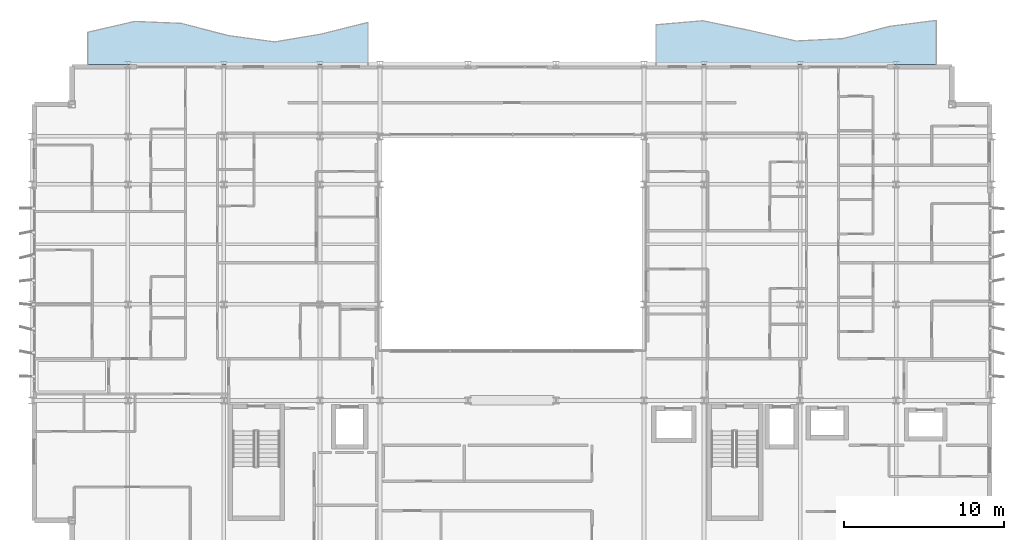
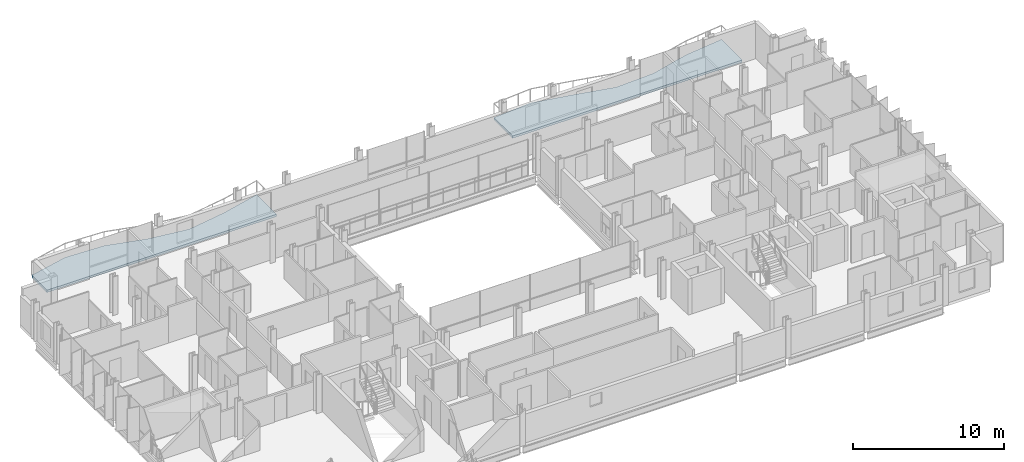
# One storey, part 25 of 38: 2 slabs.
"""IFC4 building model written with IfcOpenShell, lengths in metres."""

from ifc_helpers import new_model, si_unit, direction, frame, origin, place, context, subcontext, project, spatial, polyline, outline, extrude, material, layer, layer_set, type_object, element, save


model = new_model("IFC4")

# Units and contexts
model_context = context("Model", 3, precision=1e-05, world=origin(), true_north=direction((0.0, 1.0)))
body_context = subcontext(model_context, "Body", "Model", "MODEL_VIEW")
ifc_project = project(units=[si_unit("LENGTHUNIT", "METRE"), si_unit("AREAUNIT", "SQUARE_METRE"), si_unit("VOLUMEUNIT", "CUBIC_METRE"), si_unit("PLANEANGLEUNIT", "RADIAN"), si_unit("MASSUNIT", "GRAM", prefix="KILO")], contexts=[model_context])

# Site, building, storey
site_placement = place(None, origin())
site = spatial("IfcSite", under=ifc_project, at=site_placement, CompositionType="ELEMENT")
building_placement = place(site_placement, origin())
building = spatial("IfcBuilding", under=site, at=building_placement, Name="Brevholm Reach", CompositionType="ELEMENT")
storey_placement = place(building_placement, frame((0.0, 0.0, 122.10009765625)))
storey = spatial("IfcBuildingStorey", under=building, at=storey_placement, Name="L36", CompositionType="ELEMENT", Elevation=122.10009765625)

# Slabs
ifc_material = material(Name="Precast Concrete C40/50", Category="concrete")
ifc_layer = layer(ifc_material, 0.179931640625)
ifc_layer_set = layer_set([ifc_layer], Name="Precast Concrete C40/50")
slab_type = type_object("IfcSlabType", Name="SLB-BAL-180", PredefinedType="FLOOR", material=ifc_layer_set)
slab_1_placement = place(storey_placement, frame((0.0, 0.0, -0.18017578125)))
element("IfcSlab", 1, at=slab_1_placement, inside=storey, type_object=slab_type, Name="L36 Rippling External Balcony NE", PredefinedType="FLOOR", context=body_context, shape_type="SweptSolid", body=[
    extrude(outline(polyline([(39.0, 31.0), (56.5, 31.0), (56.5, 33.746337890625), (53.583251953125, 33.370849609375), (50.666748046875, 32.606201171875), (47.75, 32.45849609375), (44.833251953125, 33.1220703125), (41.916748046875, 33.723876953125), (39.0, 33.4716796875), (39.0, 31.0)])), origin(), (0.0, 0.0, 1.0), 0.18017578125),
])
slab_2_placement = place(storey_placement, frame((0.0, 0.0, -0.18017578125)))
element("IfcSlab", 2, at=slab_2_placement, inside=storey, type_object=slab_type, Name="L36 Rippling External Balcony NW", PredefinedType="FLOOR", context=body_context, shape_type="SweptSolid", body=[
    extrude(outline(polyline([(3.5, 31.0), (21.0, 31.0), (21.0, 33.62109375), (18.083251953125, 32.888916015625), (15.166748046875, 32.401611328125), (12.25, 32.800537109375), (9.333251953125, 33.560546875), (6.416748046875, 33.681640625), (3.5, 33.00439453125), (3.5, 31.0)])), origin(), (0.0, 0.0, 1.0), 0.18017578125),
])

save(model, "model.ifc")
